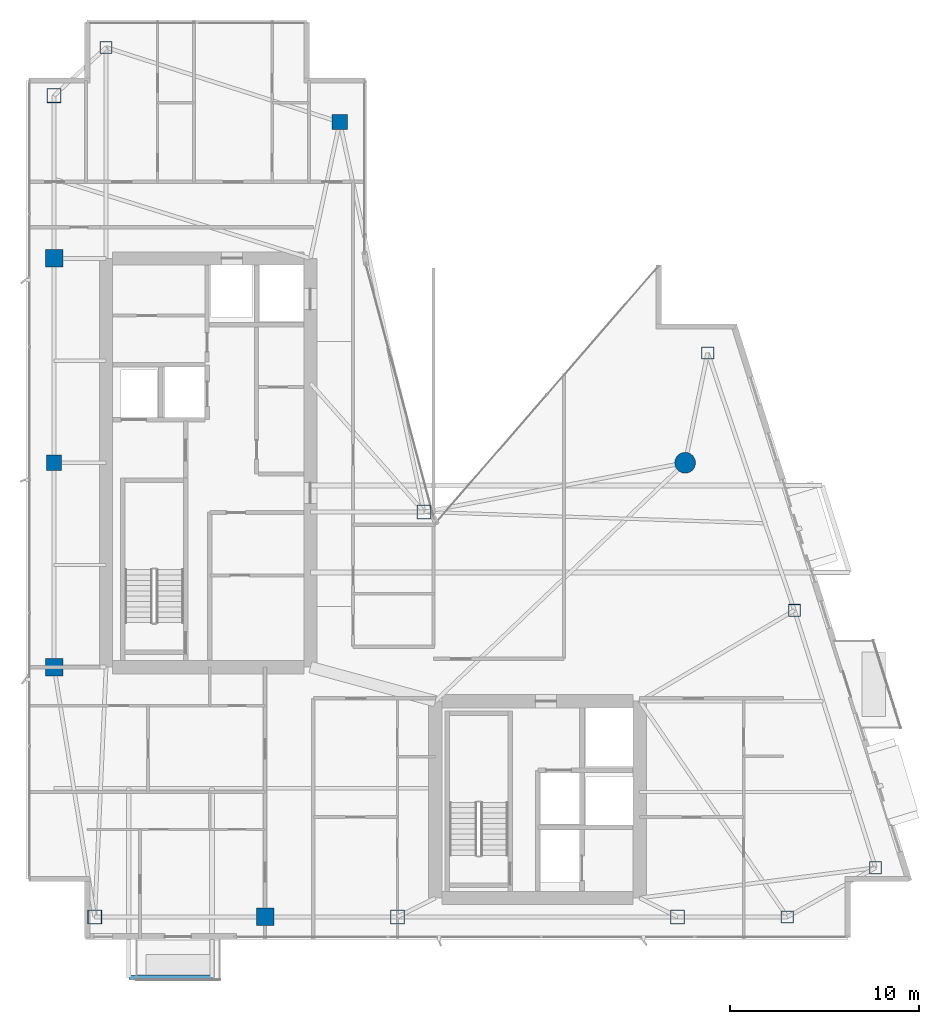
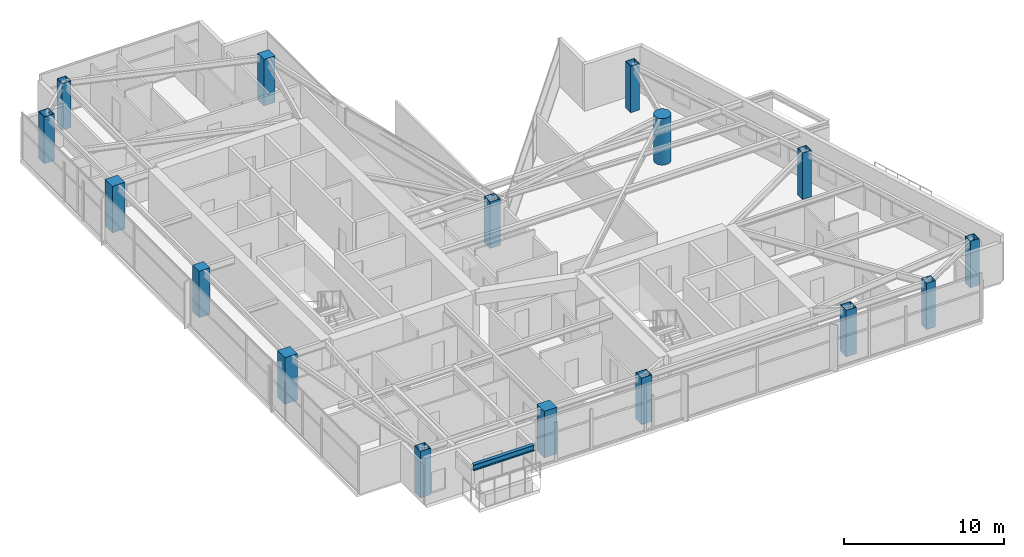
# One storey, part 1 of 29: 16 columns, 1 beam.
"""IFC4 building model written with IfcOpenShell, lengths in metres."""

from ifc_helpers import new_model, si_unit, direction, frame, origin, origin_2d, place, context, subcontext, project, spatial, rectangle, hollow_rectangle, circle, i_section, extrude, material, material_profile, profile_set, type_object, element, save


model = new_model("IFC4")

# Units and contexts
model_context = context("Model", 3, precision=1e-05, world=origin(), true_north=direction((0.0, 1.0)))
body_context = subcontext(model_context, "Body", "Model", "MODEL_VIEW")
ifc_project = project(units=[si_unit("LENGTHUNIT", "METRE"), si_unit("AREAUNIT", "SQUARE_METRE"), si_unit("VOLUMEUNIT", "CUBIC_METRE"), si_unit("PLANEANGLEUNIT", "RADIAN"), si_unit("MASSUNIT", "GRAM", prefix="KILO")], contexts=[model_context])

# Site, building, storey
site_placement = place(None, origin())
site = spatial("IfcSite", under=ifc_project, at=site_placement, CompositionType="ELEMENT")
building_placement = place(site_placement, origin())
building = spatial("IfcBuilding", under=site, at=building_placement, Name="Calvorn Quay Hotel", CompositionType="ELEMENT")
storey_placement = place(building_placement, frame((0.0, 0.0, 251.39990234375)))
storey = spatial("IfcBuildingStorey", under=building, at=storey_placement, Name="L62", CompositionType="ELEMENT", Elevation=251.39990234375)

# Columns
ifc_material_1 = material(Name="Concrete C45", Category="concrete")
ifc_material_profile_1 = material_profile(ifc_material_1, rectangle(XDim=0.800048828125, YDim=0.800048828125, at=origin_2d()), Name="RC800x800")
ifc_profile_set_1 = profile_set([ifc_material_profile_1], Name="Concrete C45")
column_type_1 = type_object("IfcColumnType", Name="COL-RC-800", PredefinedType="COLUMN", material=ifc_profile_set_1)
for number, where, z_axis, x_axis, name in (
    (1, (1.449951171875, 27.60009765625, 0.0), (0.0, 0.0, 1.0), (1.0, 0.0, 0.0), "Column C-W3 (L62)"),
    (2, (16.550048828125, 45.60009765625, 0.0), (0.0, 0.0, 1.0), (1.0, 0.0, 0.0), "Column C-IC1 (L62)"),
):
    element("IfcColumn", number, at=place(storey_placement, frame(where, z_axis=z_axis, x_axis=x_axis)), inside=storey, type_object=column_type_1, Name=name, PredefinedType="COLUMN", context=body_context, shape_type="SweptSolid", body=[
        extrude(rectangle(XDim=0.800048828125, YDim=0.800048828125, at=origin_2d()), origin(), (0.0, 0.0, 1.0), 3.56005859375),
    ])
ifc_material_2 = material(Name="Concrete C45", Category="concrete")
ifc_material_profile_2 = material_profile(ifc_material_2, rectangle(XDim=0.919921875, YDim=0.919921875, at=origin_2d()), Name="RC920x920")
ifc_profile_set_2 = profile_set([ifc_material_profile_2], Name="Concrete C45")
column_type_2 = type_object("IfcColumnType", Name="COL-RC-920", PredefinedType="COLUMN", material=ifc_profile_set_2)
for number, where, z_axis, x_axis, name in (
    (3, (1.449951171875, 16.800048828125, 0.0), (0.0, 0.0, 1.0), (1.0, 0.0, 0.0), "Column C-W2 (L62)"),
    (4, (1.449951171875, 38.39990234375, 0.0), (0.0, 0.0, 1.0), (1.0, 0.0, 0.0), "Column C-W4 (L62)"),
    (5, (12.60009765625, 3.60009765625, 0.0), (0.0, 0.0, 1.0), (1.0, 0.0, 0.0), "Column C-S1 (L62)"),
):
    element("IfcColumn", number, at=place(storey_placement, frame(where, z_axis=z_axis, x_axis=x_axis)), inside=storey, type_object=column_type_2, Name=name, PredefinedType="COLUMN", context=body_context, shape_type="SweptSolid", body=[
        extrude(rectangle(XDim=0.919921875, YDim=0.919921875, at=origin_2d()), origin(), (0.0, 0.0, 1.0), 3.56005859375),
    ])
ifc_material_3 = material(Name="Concrete C50", Category="concrete")
ifc_material_profile_3 = material_profile(ifc_material_3, circle(Radius=0.550048828125, at=origin_2d()), Name="RCD1100")
ifc_profile_set_3 = profile_set([ifc_material_profile_3], Name="Concrete C50")
column_type_3 = type_object("IfcColumnType", Name="COL-RC-D1100", PredefinedType="COLUMN", material=ifc_profile_set_3)
column_placement = place(storey_placement, frame((34.800048828125, 27.60009765625, 0.0), z_axis=(0.0, 0.0, 1.0), x_axis=(1.0, 0.0, 0.0)))
element("IfcColumn", 6, at=column_placement, inside=storey, type_object=column_type_3, Name="Column C-NC1 (L62)", PredefinedType="COLUMN", context=body_context, shape_type="SweptSolid", body=[
    extrude(circle(Radius=0.550048828125, at=origin_2d()), origin(), (0.0, 0.0, 1.0), 3.56005859375),
])
ifc_material_4 = material(Name="Steel Q390GJC", Category="steel")
ifc_material_profile_4 = material_profile(ifc_material_4, hollow_rectangle(XDim=0.75, YDim=0.75, WallThickness=0.031982421875, at=origin_2d()), Name="BOX750x750x32")
ifc_profile_set_4 = profile_set([ifc_material_profile_4], Name="Steel Q390GJC")
column_type_4 = type_object("IfcColumnType", Name="COL-STL-Z3", PredefinedType="COLUMN", material=ifc_profile_set_4)
for number, where, z_axis, x_axis, name in (
    (7, (3.60009765625, 3.60009765625, 0.0), (0.0, 0.0, 1.0), (1.0, 0.0, 0.0), "Column C-W1 (L62)"),
    (8, (1.449951171875, 47.0, 0.0), (0.0, 0.0, 1.0), (1.0, 0.0, 0.0), "Column C-W5 (L62)"),
    (9, (21.0, 25.0, 0.0), (0.0, 0.0, 1.0), (1.0, 0.0, 0.0), "Column C-IC2 (L62)"),
    (10, (19.60009765625, 3.60009765625, 0.0), (0.0, 0.0, 1.0), (1.0, 0.0, 0.0), "Column C-S2 (L62)"),
    (11, (34.39990234375, 3.60009765625, 0.0), (0.0, 0.0, 1.0), (1.0, 0.0, 0.0), "Column C-S3 (L62)"),
):
    element("IfcColumn", number, at=place(storey_placement, frame(where, z_axis=z_axis, x_axis=x_axis)), inside=storey, type_object=column_type_4, Name=name, PredefinedType="COLUMN", context=body_context, shape_type="SweptSolid", body=[
        extrude(hollow_rectangle(XDim=0.75, YDim=0.75, WallThickness=0.031982421875, at=origin_2d()), origin(), (0.0, 0.0, 1.0), 3.56005859375),
    ])
ifc_material_5 = material(Name="Steel Q355B", Category="steel")
ifc_material_profile_5 = material_profile(ifc_material_5, hollow_rectangle(XDim=0.64990234375, YDim=0.64990234375, WallThickness=0.028076171875, at=origin_2d()), Name="BOX650x650x28")
ifc_profile_set_5 = profile_set([ifc_material_profile_5], Name="Steel Q355B")
column_type_5 = type_object("IfcColumnType", Name="COL-STL-Z4", PredefinedType="COLUMN", material=ifc_profile_set_5)
for number, where, z_axis, x_axis, name in (
    (12, (4.199951171875, 49.550048828125, 0.0), (0.0, 0.0, 1.0), (1.0, 0.0, 0.0), "Column C-NW1 (L62)"),
    (13, (40.199951171875, 3.60009765625, 0.0), (0.0, 0.0, 1.0), (1.0, 0.0, 0.0), "Column C-S4 (L62)"),
    (14, (44.861083984375, 6.199951171875, 0.0), (0.0, 0.0, 1.0), (1.0, 0.0, 0.0), "Column C-ET1 (L62)"),
    (15, (40.575927734375, 19.800048828125, 0.0), (0.0, 0.0, 1.0), (1.0, 0.0, 0.0), "Column C-ET2 (L62)"),
    (16, (35.990966796875, 33.39990234375, 0.0), (0.0, 0.0, 1.0), (1.0, 0.0, 0.0), "Column C-ET3 (L62)"),
):
    element("IfcColumn", number, at=place(storey_placement, frame(where, z_axis=z_axis, x_axis=x_axis)), inside=storey, type_object=column_type_5, Name=name, PredefinedType="COLUMN", context=body_context, shape_type="SweptSolid", body=[
        extrude(hollow_rectangle(XDim=0.64990234375, YDim=0.64990234375, WallThickness=0.028076171875, at=origin_2d()), origin(), (0.0, 0.0, 1.0), 3.56005859375),
    ])

# Beam
ifc_material_6 = material(Name="Steel Q355B", Category="steel")
ifc_material_profile_6 = material_profile(ifc_material_6, i_section(OverallWidth=0.25, OverallDepth=0.449951171875, WebThickness=0.011962890625, FlangeThickness=0.01611328125, FilletRadius=0.01611328125, at=origin_2d()), Name="HN450x250x12x16")
ifc_profile_set_6 = profile_set([ifc_material_profile_6], Name="Steel Q355B")
beam_type = type_object("IfcBeamType", Name="BM-CANT-BALC", PredefinedType="BEAM", material=ifc_profile_set_6)
beam_placement = place(storey_placement, frame((5.39990234375, 0.409912109375, 3.315185546875), z_axis=(1.0, 0.0, 0.0), x_axis=(0.0, 1.0, 0.0)))
element("IfcBeam", 17, at=beam_placement, inside=storey, type_object=beam_type, Name="Beam BCBO-L63-2", PredefinedType="BEAM", context=body_context, shape_type="SweptSolid", body=[
    extrude(i_section(OverallWidth=0.25, OverallDepth=0.449951171875, WebThickness=0.011962890625, FlangeThickness=0.01611328125, FilletRadius=0.01611328125, at=origin_2d()), origin(), (0.0, 0.0, 1.0), 4.400146484375),
])

save(model, "model.ifc")
